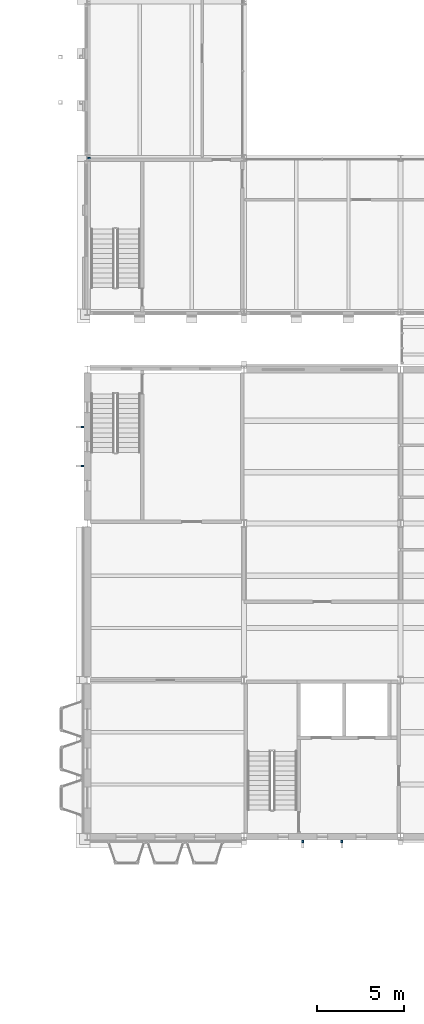
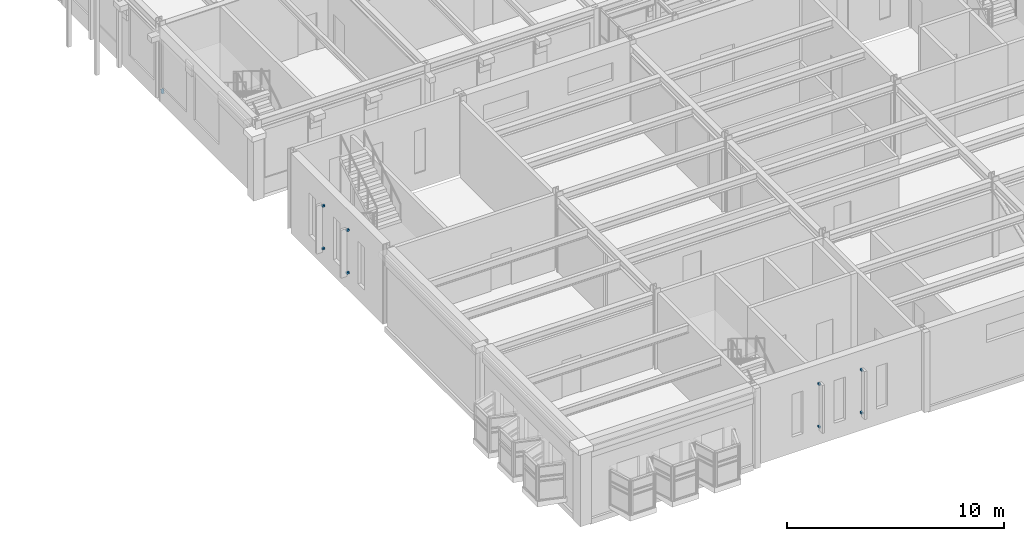
# One storey, part 113 of 153: 9 discrete accessories.
"""IFC4 building model written with IfcOpenShell, lengths in metres."""

from ifc_helpers import new_model, si_unit, direction, frame, origin, origin_2d, place, context, subcontext, project, spatial, rectangle, extrude, material, material_profile, profile_set, type_object, element, save


model = new_model("IFC4")

# Units and contexts
model_context = context("Model", 3, precision=1e-05, world=origin(), true_north=direction((0.0, 1.0)))
body_context = subcontext(model_context, "Body", "Model", "MODEL_VIEW")
ifc_project = project(units=[si_unit("LENGTHUNIT", "METRE"), si_unit("AREAUNIT", "SQUARE_METRE"), si_unit("VOLUMEUNIT", "CUBIC_METRE"), si_unit("PLANEANGLEUNIT", "RADIAN"), si_unit("MASSUNIT", "GRAM", prefix="KILO")], contexts=[model_context])

# Site, building, storey
site_placement = place(None, origin())
site = spatial("IfcSite", under=ifc_project, at=site_placement, CompositionType="ELEMENT")
building_placement = place(site_placement, origin())
building = spatial("IfcBuilding", under=site, at=building_placement, Name="Kallimachos Central Library", CompositionType="ELEMENT")
storey_placement = place(building_placement, frame((0.0, 0.0, 5.39990234375)))
storey = spatial("IfcBuildingStorey", under=building, at=storey_placement, Name="L01", CompositionType="ELEMENT", Elevation=5.39990234375)

# Discrete accessories
ifc_material_1 = material(Name="Steel S355J2", Category="steel")
ifc_material_profile = material_profile(ifc_material_1, rectangle(XDim=0.14990234375, YDim=0.25, at=origin_2d()), Name="End cap plate 10, 150x250")
ifc_profile_set = profile_set([ifc_material_profile], Name="Steel S355J2")
discrete_accessory_type_1 = type_object("IfcDiscreteAccessoryType", Name="End cap plate 10, 150x250", PredefinedType="BRACKET", material=ifc_profile_set)
discrete_accessory_placement = place(storey_placement, frame((65.60009765625, 57.009521484375, 0.396728515625), z_axis=(0.0, -0.941194670762, 0.337864753607), x_axis=(1.0, 0.0, 0.0)))
element("IfcDiscreteAccessory", 1, at=discrete_accessory_placement, inside=storey, type_object=discrete_accessory_type_1, Name="End cap plate", PredefinedType="BRACKET", context=body_context, shape_type="SweptSolid", body=[
    extrude(rectangle(XDim=0.14990234375, YDim=0.25, at=origin_2d()), origin(), (0.0, 0.0, 1.0), 0.010009765625),
])
ifc_material_2 = material(Name="Stainless steel", Category="steel")
discrete_accessory_type_2 = type_object("IfcDiscreteAccessoryType", Name="Fin bracket", PredefinedType="BRACKET", material=ifc_material_2)
for number, where, z_axis, x_axis, name in (
    (2, (77.875, 17.72509765625, 1.0), (0.0, 0.0, 1.0), (1.0, 0.0, 0.0), "Fin bracket -L01-011"),
    (3, (77.875, 17.72509765625, 3.400146484375), (0.0, 0.0, 1.0), (1.0, 0.0, 0.0), "Fin bracket -L01-011"),
    (4, (80.125, 17.72509765625, 1.0), (0.0, 0.0, 1.0), (1.0, 0.0, 0.0), "Fin bracket -L01-011"),
    (5, (80.125, 17.72509765625, 3.400146484375), (0.0, 0.0, 1.0), (1.0, 0.0, 0.0), "Fin bracket -L01-011"),
):
    element("IfcDiscreteAccessory", number, at=place(storey_placement, frame(where, z_axis=z_axis, x_axis=x_axis)), inside=storey, type_object=discrete_accessory_type_2, Name=name, PredefinedType="BRACKET", context=body_context, shape_type="SweptSolid", body=[
        extrude(rectangle(XDim=0.10009765625, YDim=0.14990234375, at=origin_2d()), origin(), (0.0, 0.0, 1.0), 0.10009765625),
    ])
for number, where, z_axis, x_axis, name in (
    (6, (65.22509765625, 39.300048828125, 1.0), (0.0, 0.0, 1.0), (1.0, 0.0, 0.0), "Fin bracket -L01-022"),
    (7, (65.22509765625, 39.300048828125, 3.400146484375), (0.0, 0.0, 1.0), (1.0, 0.0, 0.0), "Fin bracket -L01-022"),
    (8, (65.22509765625, 41.550048828125, 1.0), (0.0, 0.0, 1.0), (1.0, 0.0, 0.0), "Fin bracket -L01-022"),
    (9, (65.22509765625, 41.550048828125, 3.400146484375), (0.0, 0.0, 1.0), (1.0, 0.0, 0.0), "Fin bracket -L01-022"),
):
    element("IfcDiscreteAccessory", number, at=place(storey_placement, frame(where, z_axis=z_axis, x_axis=x_axis)), inside=storey, type_object=discrete_accessory_type_2, Name=name, PredefinedType="BRACKET", context=body_context, shape_type="SweptSolid", body=[
        extrude(rectangle(XDim=0.14990234375, YDim=0.10009765625, at=origin_2d()), origin(), (0.0, 0.0, 1.0), 0.10009765625),
    ])

save(model, "model.ifc")
